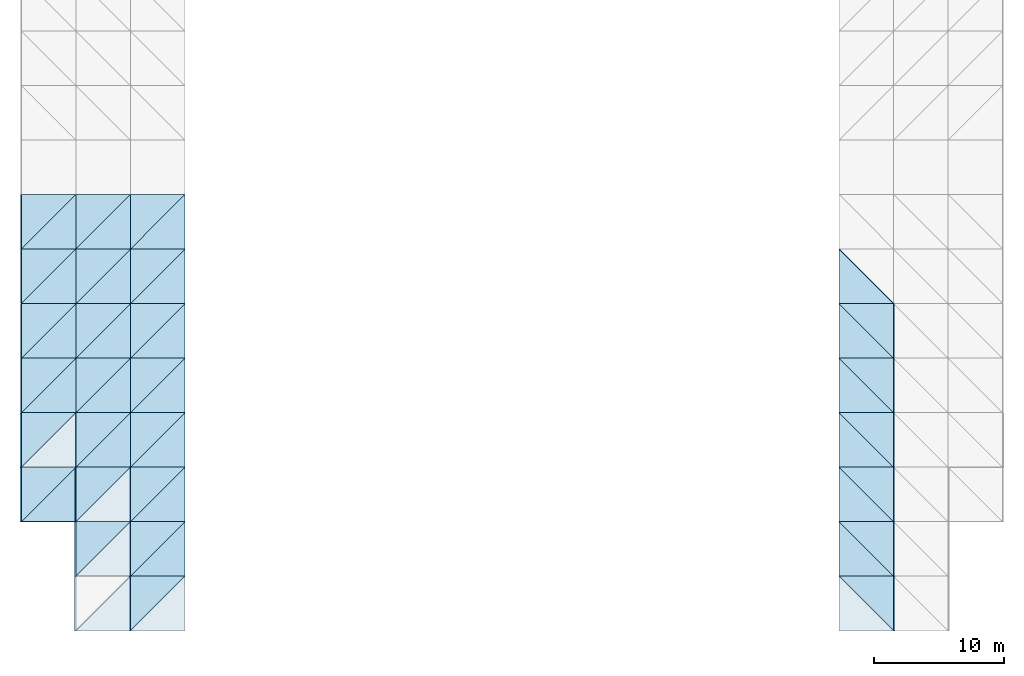
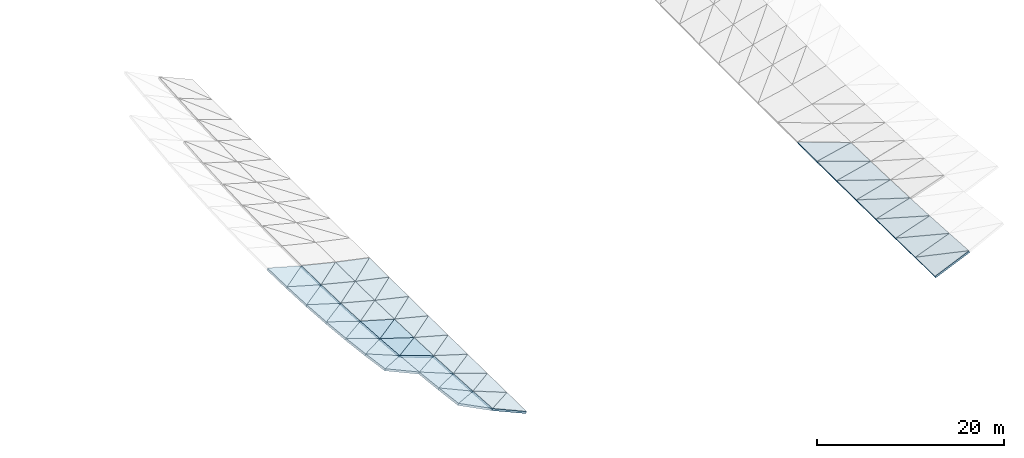
# One storey, part 8 of 24: 57 slabs.
"""IFC4 building model written with IfcOpenShell, lengths in metres."""

from ifc_helpers import new_model, si_unit, direction, frame, origin, place, context, subcontext, project, spatial, polyline, outline, extrude, material, layer, layer_set, type_object, element, save


model = new_model("IFC4")

# Units and contexts
model_context = context("Model", 3, precision=1e-05, world=origin(), true_north=direction((0.0, 1.0)))
body_context = subcontext(model_context, "Body", "Model", "MODEL_VIEW")
ifc_project = project(units=[si_unit("LENGTHUNIT", "METRE"), si_unit("AREAUNIT", "SQUARE_METRE"), si_unit("VOLUMEUNIT", "CUBIC_METRE"), si_unit("PLANEANGLEUNIT", "RADIAN"), si_unit("MASSUNIT", "GRAM", prefix="KILO")], contexts=[model_context])

# Site, building, storey
site_placement = place(None, origin())
site = spatial("IfcSite", under=ifc_project, at=site_placement, CompositionType="ELEMENT")
building_placement = place(site_placement, origin())
building = spatial("IfcBuilding", under=site, at=building_placement, Name="Cumbredor Promenade Congress Hotel", CompositionType="ELEMENT")
storey_placement = place(building_placement, frame((0.0, 0.0, 35.280029296875)))
storey = spatial("IfcBuildingStorey", under=building, at=storey_placement, Name="L10", CompositionType="ELEMENT", Elevation=35.280029296875)

# Slabs
ifc_material = material(Name="Concrete C40/50", Category="concrete")
ifc_layer = layer(ifc_material, 0.25, Name="Concrete C40/50", Category="concrete")
ifc_layer_set = layer_set([ifc_layer], Name="Concrete C40/50")
slab_type = type_object("IfcSlabType", Name="Catenary Space Frame Roof Deck 250mm", PredefinedType="ROOF", material=ifc_layer_set)
slab_1_placement = place(storey_placement, frame((-4.199951171875, 8.39990234375, 5.3837890625), z_axis=(0.411167219071, 0.086817434765, 0.90741625012), x_axis=(0.910855423121, 0.0, -0.412725572471)))
element("IfcSlab", 1, at=slab_1_placement, inside=storey, type_object=slab_type, Name="Plenary Congress Hall Sweeping Roof Deck Facet 1.3.1", PredefinedType="ROOF", context=body_context, shape_type="SweptSolid", body=[
    extrude(outline(polyline([(0.0, 0.0), (4.6109965042377326, 0.0), (4.776852532628327, 4.216114355512402), (0.0, 0.0)])), origin(), (0.0, 0.0, -1.0), 0.25),
])
slab_2_placement = place(storey_placement, frame((-4.199951171875, 8.39990234375, 5.3837890625), z_axis=(0.369938567617, 0.134544441509, 0.91926233984), x_axis=(0.659194593281, 0.659232911865, -0.361765747554)))
element("IfcSlab", 2, at=slab_2_placement, inside=storey, type_object=slab_type, Name="Plenary Congress Hall Sweeping Roof Deck Facet 1.3.2", PredefinedType="ROOF", context=body_context, shape_type="SweptSolid", body=[
    extrude(outline(polyline([(0.0, 0.0), (6.371337408836187, -6.661338147750939e-16), (2.9913010664213573, 3.0119215383130933), (0.0, 0.0)])), origin(), (0.0, 0.0, -1.0), 0.25),
])
slab_3_placement = place(storey_placement, frame((-4.199951171875, 12.60009765625, 4.76904296875), z_axis=(0.372315421461, 0.073785462696, 0.925168596763), x_axis=(0.927697372163, 0.0, -0.373333076061)))
element("IfcSlab", 3, at=slab_3_placement, inside=storey, type_object=slab_type, Name="Plenary Congress Hall Sweeping Roof Deck Facet 1.4.1", PredefinedType="ROOF", context=body_context, shape_type="SweptSolid", body=[
    extrude(outline(polyline([(0.0, 0.0), (4.527285834691613, -1.3877787807814457e-17), (4.652337831848926, 4.211430953226234), (0.0, 0.0)])), origin(), (0.0, 0.0, -1.0), 0.25),
])
slab_4_placement = place(storey_placement, frame((-4.199951171875, 12.60009765625, 4.76904296875), z_axis=(0.336750452483, 0.113934446411, 0.934675384651), x_axis=(0.66927436547, 0.66927436547, -0.322712948996)))
element("IfcSlab", 4, at=slab_4_placement, inside=storey, type_object=slab_type, Name="Plenary Congress Hall Sweeping Roof Deck Facet 1.4.2", PredefinedType="ROOF", context=body_context, shape_type="SweptSolid", body=[
    extrude(outline(polyline([(0.0, 0.0), (6.275380305244042, 5.551115123125783e-17), (2.9761367097714997, 3.007375289560944), (0.0, 0.0)])), origin(), (0.0, 0.0, -1.0), 0.25),
])
slab_5_placement = place(storey_placement, frame((-4.199951171875, 16.800048828125, 4.257080078125), z_axis=(0.338348207156, 0.059939711432, 0.939110069006), x_axis=(0.940801631192, 0.0, -0.338957653324)))
element("IfcSlab", 5, at=slab_5_placement, inside=storey, type_object=slab_type, Name="Plenary Congress Hall Sweeping Roof Deck Facet 1.5.1", PredefinedType="ROOF", context=body_context, shape_type="SweptSolid", body=[
    extrude(outline(polyline([(0.0, 0.0), (4.464226073411645, 0.0), (4.555089233409057, 4.207516289980262), (0.0, 0.0)])), origin(), (0.0, 0.0, -1.0), 0.25),
])
slab_6_placement = place(storey_placement, frame((-4.199951171875, 16.800048828125, 4.257080078125), z_axis=(0.309059167756, 0.092382115482, 0.946545284477), x_axis=(0.677305493416, 0.677305493416, -0.287253437189)))
element("IfcSlab", 6, at=slab_6_placement, inside=storey, type_object=slab_type, Name="Plenary Congress Hall Sweeping Roof Deck Facet 1.5.2", PredefinedType="ROOF", context=body_context, shape_type="SweptSolid", body=[
    extrude(outline(polyline([(0.0, 0.0), (6.200970186573096, 1.6653345369377348e-16), (2.962398663153429, 3.005297313760026), (0.0, 0.0)])), origin(), (0.0, 0.0, -1.0), 0.25),
])
slab_7_placement = place(storey_placement, frame((-4.199951171875, 21.0, 3.84716796875), z_axis=(0.310066019111, 0.045430716348, 0.949628934798), x_axis=(0.950610447719, 0.0, -0.31038649566)))
element("IfcSlab", 7, at=slab_7_placement, inside=storey, type_object=slab_type, Name="Plenary Congress Hall Sweeping Roof Deck Facet 1.6.1", PredefinedType="ROOF", context=body_context, shape_type="SweptSolid", body=[
    extrude(outline(polyline([(0.0, 0.0), (4.418162226129549, 0.0), (4.480527481483075, 4.204292137268764), (0.0, 0.0)])), origin(), (0.0, 0.0, -1.0), 0.25),
])
slab_8_placement = place(storey_placement, frame((-4.199951171875, 21.0, 3.84716796875), z_axis=(0.287720702689, 0.069848059433, 0.955163884283), x_axis=(0.683563503785, 0.683563503785, -0.255894260558)))
element("IfcSlab", 8, at=slab_8_placement, inside=storey, type_object=slab_type, Name="Plenary Congress Hall Sweeping Roof Deck Facet 1.6.2", PredefinedType="ROOF", context=body_context, shape_type="SweptSolid", body=[
    extrude(outline(polyline([(0.0, 0.0), (6.1442004270551775, -1.1102230246251565e-16), (2.949525863133463, 3.0056971227812217), (0.0, 0.0)])), origin(), (0.0, 0.0, -1.0), 0.25),
])
slab_9_placement = place(storey_placement, frame((-4.199951171875, 25.199951171875, 3.5400390625), z_axis=(0.28829058045, 0.030542556671, 0.957055742084), x_axis=(0.957502448296, 0.0, -0.288425140212)))
element("IfcSlab", 9, at=slab_9_placement, inside=storey, type_object=slab_type, Name="Plenary Congress Hall Sweeping Roof Deck Facet 1.7.1", PredefinedType="ROOF", context=body_context, shape_type="SweptSolid", body=[
    extrude(outline(polyline([(0.0, 0.0), (4.386360765288658, 0.0), (4.425019310693086, 4.201911501036326), (0.0, 0.0)])), origin(), (0.0, 0.0, -1.0), 0.25),
])
slab_10_placement = place(storey_placement, frame((-4.199951171875, 25.199951171875, 3.5400390625), z_axis=(0.273224130767, 0.046859167153, 0.960808405885), x_axis=(0.688268252981, 0.688268252981, -0.229289388934)))
element("IfcSlab", 10, at=slab_10_placement, inside=storey, type_object=slab_type, Name="Plenary Congress Hall Sweeping Roof Deck Facet 1.7.2", PredefinedType="ROOF", context=body_context, shape_type="SweptSolid", body=[
    extrude(outline(polyline([(0.0, 0.0), (6.102200927743044, -1.942890293094024e-16), (2.9376593147809817, 3.008605085013594), (0.0, 0.0)])), origin(), (0.0, 0.0, -1.0), 0.25),
])
slab_11_placement = place(storey_placement, frame((-4.199951171875, 29.39990234375, 3.335205078125), z_axis=(0.27349250661, 0.015317373472, 0.961752165008), x_axis=(0.96186500894, 0.0, -0.273524595927)))
element("IfcSlab", 11, at=slab_11_placement, inside=storey, type_object=slab_type, Name="Plenary Congress Hall Sweeping Roof Deck Facet 1.8.1", PredefinedType="ROOF", context=body_context, shape_type="SweptSolid", body=[
    extrude(outline(polyline([(0.0, 0.0), (4.366466326188511, 0.0), (4.3847636258184, 4.200688128186187), (0.0, 0.0)])), origin(), (0.0, 0.0, -1.0), 0.25),
])
slab_12_placement = place(storey_placement, frame((-4.199951171875, 29.39990234375, 3.335205078125), z_axis=(0.2658733392, 0.023527246464, 0.963720828963), x_axis=(0.691665779918, 0.691705986032, -0.207704785157)))
element("IfcSlab", 12, at=slab_12_placement, inside=storey, type_object=slab_type, Name="Plenary Congress Hall Sweeping Roof Deck Facet 1.8.2", PredefinedType="ROOF", context=body_context, shape_type="SweptSolid", body=[
    extrude(outline(polyline([(0.0, 0.0), (6.072226346619871, -1.1102230246251565e-16), (2.926598094107825, 3.0144947367759327), (0.0, 0.0)])), origin(), (0.0, 0.0, -1.0), 0.25),
])
slab_13_placement = place(storey_placement, frame((0.0, 0.0, 4.4853515625), z_axis=(0.45453933553, 0.060439938921, 0.888673734415), x_axis=(0.890301351474, 0.0, -0.455371830007)))
element("IfcSlab", 13, at=slab_13_placement, inside=storey, type_object=slab_type, Name="Plenary Congress Hall Sweeping Roof Deck Facet 2.1.1", PredefinedType="ROOF", context=body_context, shape_type="SweptSolid", body=[
    extrude(outline(polyline([(0.0, 0.0), (4.717448945711764, 0.0), (4.8475234186386675, 4.207643434971648), (0.0, 0.0)])), origin(), (0.0, 0.0, -1.0), 0.25),
])
slab_14_placement = place(storey_placement, frame((0.0, 0.0, 4.4853515625), z_axis=(0.409046691077, 0.115494917277, 0.905174971263), x_axis=(0.654306384269, 0.654306384269, -0.379165281915)))
element("IfcSlab", 14, at=slab_14_placement, inside=storey, type_object=slab_type, Name="Plenary Congress Hall Sweeping Roof Deck Facet 2.1.2", PredefinedType="ROOF", context=body_context, shape_type="SweptSolid", body=[
    extrude(outline(polyline([(0.0, 0.0), (6.418936560685915, -1.6653345369377348e-16), (2.951245244722588, 3.0359377497373776), (0.0, 0.0)])), origin(), (0.0, 0.0, -1.0), 0.25),
])
slab_15_placement = place(storey_placement, frame((0.0, 4.199951171875, 3.949462890625), z_axis=(0.411197951808, 0.054163455448, 0.909935472725), x_axis=(0.911273146381, 0.0, -0.411802443758)))
element("IfcSlab", 15, at=slab_15_placement, inside=storey, type_object=slab_type, Name="Plenary Congress Hall Sweeping Roof Deck Facet 2.2.1", PredefinedType="ROOF", context=body_context, shape_type="SweptSolid", body=[
    extrude(outline(polyline([(0.0, 0.0), (4.608882845450503, 0.0), (4.711833456389957, 4.2061254163233635), (0.0, 0.0)])), origin(), (0.0, 0.0, -1.0), 0.25),
])
slab_16_placement = place(storey_placement, frame((0.0, 4.199951171875, 3.949462890625), z_axis=(0.369264178227, 0.103080433585, 0.923589947374), x_axis=(0.664961689209, 0.664961689209, -0.340076320506)))
element("IfcSlab", 16, at=slab_16_placement, inside=storey, type_object=slab_type, Name="Plenary Congress Hall Sweeping Roof Deck Facet 2.2.2", PredefinedType="ROOF", context=body_context, shape_type="SweptSolid", body=[
    extrude(outline(polyline([(0.0, 0.0), (6.316079918636014, 5.551115123125783e-17), (2.952217401082226, 3.0238599215872246), (0.0, 0.0)])), origin(), (0.0, 0.0, -1.0), 0.25),
])
slab_17_placement = place(storey_placement, frame((0.0, 8.39990234375, 3.480712890625), z_axis=(0.370825649109, 0.047334398802, 0.927495440772), x_axis=(0.928536237843, 0.0, -0.371241774335)))
element("IfcSlab", 17, at=slab_17_placement, inside=storey, type_object=slab_type, Name="Plenary Congress Hall Sweeping Roof Deck Facet 2.3.1", PredefinedType="ROOF", context=body_context, shape_type="SweptSolid", body=[
    extrude(outline(polyline([(0.0, 0.0), (4.523195757689998, 0.0), (4.602773462247189, 4.204908598182298), (0.0, 0.0)])), origin(), (0.0, 0.0, -1.0), 0.25),
])
slab_18_placement = place(storey_placement, frame((0.0, 8.39990234375, 3.480712890625), z_axis=(0.333335610195, 0.089793538847, 0.938522504449), x_axis=(0.673682027033, 0.673721187763, -0.30373061685)))
element("IfcSlab", 18, at=slab_18_placement, inside=storey, type_object=slab_type, Name="Plenary Congress Hall Sweeping Roof Deck Facet 2.3.2", PredefinedType="ROOF", context=body_context, shape_type="SweptSolid", body=[
    extrude(outline(polyline([(0.0, 0.0), (6.234322726955541, 0.0), (2.9518163841804714, 3.0149475144677034), (0.0, 0.0)])), origin(), (0.0, 0.0, -1.0), 0.25),
])
slab_19_placement = place(storey_placement, frame((0.0, 12.60009765625, 3.078857421875), z_axis=(0.334419623445, 0.040009941856, 0.941574596093), x_axis=(0.942329136276, 0.0, -0.334687613942)))
element("IfcSlab", 19, at=slab_19_placement, inside=storey, type_object=slab_type, Name="Plenary Congress Hall Sweeping Roof Deck Facet 2.4.1", PredefinedType="ROOF", context=body_context, shape_type="SweptSolid", body=[
    extrude(outline(polyline([(0.0, 0.0), (4.456989612435006, 6.938893903907228e-18), (4.516720238848965, 4.203316844587047), (0.0, 0.0)])), origin(), (0.0, 0.0, -1.0), 0.25),
])
slab_20_placement = place(storey_placement, frame((0.0, 12.60009765625, 3.078857421875), z_axis=(0.302096813544, 0.075786584052, 0.950259916509), x_axis=(0.680707590515, 0.680707590515, -0.270692357537)))
element("IfcSlab", 20, at=slab_20_placement, inside=storey, type_object=slab_type, Name="Plenary Congress Hall Sweeping Roof Deck Facet 2.4.2", PredefinedType="ROOF", context=body_context, shape_type="SweptSolid", body=[
    extrude(outline(polyline([(0.0, 0.0), (6.169978461227969, 0.0), (2.9496100083445906, 3.008585959293583), (0.0, 0.0)])), origin(), (0.0, 0.0, -1.0), 0.25),
])
slab_21_placement = place(storey_placement, frame((0.0, 16.800048828125, 2.743896484375), z_axis=(0.302809161441, 0.032390447878, 0.952500640752), x_axis=(0.953000688043, 0.0, -0.302968131309)))
element("IfcSlab", 21, at=slab_21_placement, inside=storey, type_object=slab_type, Name="Plenary Congress Hall Sweeping Roof Deck Facet 2.5.1", PredefinedType="ROOF", context=body_context, shape_type="SweptSolid", body=[
    extrude(outline(polyline([(0.0, 0.0), (4.407080943979243, 6.938893903907228e-18), (4.45035153890497, 4.202156077694785), (0.0, 0.0)])), origin(), (0.0, 0.0, -1.0), 0.25),
])
slab_22_placement = place(storey_placement, frame((0.0, 16.800048828125, 2.743896484375), z_axis=(0.276311214531, 0.061216649224, 0.959116590714), x_axis=(0.68618093884, 0.68618093884, -0.241477614587)))
element("IfcSlab", 22, at=slab_22_placement, inside=storey, type_object=slab_type, Name="Plenary Congress Hall Sweeping Roof Deck Facet 2.5.2", PredefinedType="ROOF", context=body_context, shape_type="SweptSolid", body=[
    extrude(outline(polyline([(0.0, 0.0), (6.120763393657777, 2.220446049250313e-16), (2.94665847452964, 3.004771751527333), (0.0, 0.0)])), origin(), (0.0, 0.0, -1.0), 0.25),
])
slab_23_placement = place(storey_placement, frame((0.0, 21.0, 2.475830078125), z_axis=(0.27674721727, 0.024514130021, 0.960630019915), x_axis=(0.96091879181, 0.0, -0.276830409359)))
element("IfcSlab", 23, at=slab_23_placement, inside=storey, type_object=slab_type, Name="Plenary Congress Hall Sweeping Roof Deck Facet 2.6.1", PredefinedType="ROOF", context=body_context, shape_type="SweptSolid", body=[
    extrude(outline(polyline([(0.0, 0.0), (4.37076598737682, -3.469446951953614e-18), (4.400436043458072, 4.201213705663172), (0.0, 0.0)])), origin(), (0.0, 0.0, -1.0), 0.25),
])
slab_24_placement = place(storey_placement, frame((0.0, 21.0, 2.475830078125), z_axis=(0.256577242509, 0.046186148422, 0.965419576309), x_axis=(0.690336810607, 0.690336810607, -0.216495209744)))
element("IfcSlab", 24, at=slab_24_placement, inside=storey, type_object=slab_type, Name="Plenary Congress Hall Sweeping Roof Deck Facet 2.6.2", PredefinedType="ROOF", context=body_context, shape_type="SweptSolid", body=[
    extrude(outline(polyline([(0.0, 0.0), (6.0839160064235775, 0.0), (2.9428807886939765, 3.0032340008915677), (0.0, 0.0)])), origin(), (0.0, 0.0, -1.0), 0.25),
])
slab_25_placement = place(storey_placement, frame((0.0, 25.199951171875, 2.27490234375), z_axis=(0.256816551653, 0.016458278573, 0.966320021454), x_axis=(0.966450923984, 0.0, -0.256851341304)))
element("IfcSlab", 25, at=slab_25_placement, inside=storey, type_object=slab_type, Name="Plenary Congress Hall Sweeping Roof Deck Facet 2.7.1", PredefinedType="ROOF", context=body_context, shape_type="SweptSolid", body=[
    extrude(outline(polyline([(0.0, 0.0), (4.345746967223105, -6.938893903907228e-18), (4.364120366393548, 4.200520118209939), (0.0, 0.0)])), origin(), (0.0, 0.0, -1.0), 0.25),
])
slab_26_placement = place(storey_placement, frame((0.0, 25.199951171875, 2.27490234375), z_axis=(0.243228293779, 0.030938909473, 0.969475518508), x_axis=(0.693379318259, 0.693379318259, -0.196087332636)))
element("IfcSlab", 26, at=slab_26_placement, inside=storey, type_object=slab_type, Name="Plenary Congress Hall Sweeping Roof Deck Facet 2.7.2", PredefinedType="ROOF", context=body_context, shape_type="SweptSolid", body=[
    extrude(outline(polyline([(0.0, 0.0), (6.057220140943978, 1.6653345369377348e-16), (2.938441493562966, 3.003850251690583), (0.0, 0.0)])), origin(), (0.0, 0.0, -1.0), 0.25),
])
slab_27_placement = place(storey_placement, frame((0.0, 29.39990234375, 2.140869140625), z_axis=(0.243336545039, 0.008231017267, 0.969906993584), x_axis=(0.969939850681, 0.0, -0.24334478844)))
element("IfcSlab", 27, at=slab_27_placement, inside=storey, type_object=slab_type, Name="Plenary Congress Hall Sweeping Roof Deck Facet 2.8.1", PredefinedType="ROOF", context=body_context, shape_type="SweptSolid", body=[
    extrude(outline(polyline([(0.0, 0.0), (4.330115077678804, -1.734723475976807e-18), (4.33878898859489, 4.2003376006012205), (0.0, 0.0)])), origin(), (0.0, 0.0, -1.0), 0.25),
])
slab_28_placement = place(storey_placement, frame((0.0, 29.39990234375, 2.140869140625), z_axis=(0.236509174984, 0.015472719001, 0.971506049963), x_axis=(0.695486508772, 0.695526936982, -0.180390676169)))
element("IfcSlab", 28, at=slab_28_placement, inside=storey, type_object=slab_type, Name="Plenary Congress Hall Sweeping Roof Deck Facet 2.8.2", PredefinedType="ROOF", context=body_context, shape_type="SweptSolid", body=[
    extrude(outline(polyline([(0.0, 0.0), (6.038867927565289, 3.608224830031759e-16), (2.933416130154654, 3.0068563897876177), (0.0, 0.0)])), origin(), (0.0, 0.0, -1.0), 0.25),
])
slab_29_placement = place(storey_placement, frame((4.199951171875, 0.0, 2.337158203125), z_axis=(0.405170702715, 0.014984673858, 0.914118242467), x_axis=(0.914220888014, 0.0, -0.405216198983)))
element("IfcSlab", 29, at=slab_29_placement, inside=storey, type_object=slab_type, Name="Plenary Congress Hall Sweeping Roof Deck Facet 3.1.1", PredefinedType="ROOF", context=body_context, shape_type="SweptSolid", body=[
    extrude(outline(polyline([(0.0, 0.0), (4.59402232757726, 0.0), (4.62192051315179, 4.200422780762307), (0.0, 0.0)])), origin(), (0.0, 0.0, -1.0), 0.25),
])
slab_30_placement = place(storey_placement, frame((4.199951171875, 0.0, 2.337158203125), z_axis=(0.363923375977, 0.063201773771, 0.929282148871), x_axis=(0.672481279544, 0.672481279544, -0.309091988453)))
element("IfcSlab", 30, at=slab_30_placement, inside=storey, type_object=slab_type, Name="Plenary Congress Hall Sweeping Roof Deck Facet 3.1.2", PredefinedType="ROOF", context=body_context, shape_type="SweptSolid", body=[
    extrude(outline(polyline([(0.0, 0.0), (6.24545440837096, 2.7755575615628914e-16), (2.912678974239555, 3.0393229241707824), (0.0, 0.0)])), origin(), (0.0, 0.0, -1.0), 0.25),
])
slab_31_placement = place(storey_placement, frame((4.199951171875, 4.199951171875, 2.051513671875), z_axis=(0.364619815794, 0.013368130399, 0.93106051523), x_axis=(0.931143719856, 0.0, -0.364652400202)))
element("IfcSlab", 31, at=slab_31_placement, inside=storey, type_object=slab_type, Name="Plenary Congress Hall Sweeping Roof Deck Facet 3.2.1", PredefinedType="ROOF", context=body_context, shape_type="SweptSolid", body=[
    extrude(outline(polyline([(0.0, 0.0), (4.510529451377057, 0.0), (4.5325189882056245, 4.2003265023301894), (0.0, 0.0)])), origin(), (0.0, 0.0, -1.0), 0.25),
])
slab_32_placement = place(storey_placement, frame((4.199951171875, 4.199951171875, 2.051513671875), z_axis=(0.326844885667, 0.056155899819, 0.943408149015), x_axis=(0.679656505654, 0.679656505654, -0.275924026942)))
element("IfcSlab", 32, at=slab_32_placement, inside=storey, type_object=slab_type, Name="Plenary Congress Hall Sweeping Roof Deck Facet 3.2.2", PredefinedType="ROOF", context=body_context, shape_type="SweptSolid", body=[
    extrude(outline(polyline([(0.0, 0.0), (6.179520297290226, 0.0), (2.923505144130075, 3.025757346248898), (0.0, 0.0)])), origin(), (0.0, 0.0, -1.0), 0.25),
])
slab_33_placement = place(storey_placement, frame((4.199951171875, 8.39990234375, 1.801513671875), z_axis=(0.327339269004, 0.011642934785, 0.944835141724), x_axis=(0.944899188184, 0.0, -0.327361457977)))
element("IfcSlab", 33, at=slab_33_placement, inside=storey, type_object=slab_type, Name="Plenary Congress Hall Sweeping Roof Deck Facet 3.3.1", PredefinedType="ROOF", context=body_context, shape_type="SweptSolid", body=[
    extrude(outline(polyline([(0.0, 0.0), (4.444866949188435, 0.0), (4.461810462150134, 4.200480026338688), (0.0, 0.0)])), origin(), (0.0, 0.0, -1.0), 0.25),
])
slab_34_placement = place(storey_placement, frame((4.199951171875, 8.39990234375, 1.801513671875), z_axis=(0.293775618975, 0.048719305011, 0.954632031211), x_axis=(0.685376087826, 0.685415928324, -0.245895553919)))
element("IfcSlab", 34, at=slab_34_placement, inside=storey, type_object=slab_type, Name="Plenary Congress Hall Sweeping Roof Deck Facet 3.3.2", PredefinedType="ROOF", context=body_context, shape_type="SweptSolid", body=[
    extrude(outline(polyline([(0.0, 0.0), (6.1279511300125975, 7.771561172376096e-16), (2.931589825981886, 3.0155215174708183), (0.0, 0.0)])), origin(), (0.0, 0.0, -1.0), 0.25),
])
slab_35_placement = place(storey_placement, frame((4.199951171875, 12.60009765625, 1.587158203125), z_axis=(0.294110669038, 0.009833318553, 0.955720785692), x_axis=(0.95576699535, 0.0, -0.29412488946)))
element("IfcSlab", 35, at=slab_35_placement, inside=storey, type_object=slab_type, Name="Plenary Congress Hall Sweeping Roof Deck Facet 3.4.1", PredefinedType="ROOF", context=body_context, shape_type="SweptSolid", body=[
    extrude(outline(polyline([(0.0, 0.0), (4.3943253871594905, 0.0), (4.40703537383782, 4.200154241964095), (0.0, 0.0)])), origin(), (0.0, 0.0, -1.0), 0.25),
])
slab_36_placement = place(storey_placement, frame((4.199951171875, 12.60009765625, 1.587158203125), z_axis=(0.265411860785, 0.040931660387, 0.963265873647), x_axis=(0.689878251711, 0.689878251711, -0.219399169628)))
element("IfcSlab", 36, at=slab_36_placement, inside=storey, type_object=slab_type, Name="Plenary Congress Hall Sweeping Roof Deck Facet 3.4.2", PredefinedType="ROOF", context=body_context, shape_type="SweptSolid", body=[
    extrude(outline(polyline([(0.0, 0.0), (6.0879599573705185, 1.3877787807814457e-16), (2.936610438763598, 3.0079493637137045), (0.0, 0.0)])), origin(), (0.0, 0.0, -1.0), 0.25),
])
slab_37_placement = place(storey_placement, frame((4.199951171875, 16.800048828125, 1.40869140625), z_axis=(0.265626300896, 0.007845502558, 0.96404414648), x_axis=(0.964073817229, 0.0, -0.265634476177)))
element("IfcSlab", 37, at=slab_37_placement, inside=storey, type_object=slab_type, Name="Plenary Congress Hall Sweeping Roof Deck Facet 3.5.1", PredefinedType="ROOF", context=body_context, shape_type="SweptSolid", body=[
    extrude(outline(polyline([(0.0, 0.0), (4.356462230192035, -1.734723475976807e-18), (4.365541533576976, 4.200080435351427), (0.0, 0.0)])), origin(), (0.0, 0.0, -1.0), 0.25),
])
slab_38_placement = place(storey_placement, frame((4.199951171875, 16.800048828125, 1.40869140625), z_axis=(0.242098668396, 0.032975022354, 0.969691127453), x_axis=(0.693297004955, 0.693297004955, -0.196668568516)))
element("IfcSlab", 38, at=slab_38_placement, inside=storey, type_object=slab_type, Name="Plenary Congress Hall Sweeping Roof Deck Facet 3.5.2", PredefinedType="ROOF", context=body_context, shape_type="SweptSolid", body=[
    extrude(outline(polyline([(0.0, 0.0), (6.057939298541001, 1.6653345369377348e-16), (2.939902218948989, 3.0028258338956753), (0.0, 0.0)])), origin(), (0.0, 0.0, -1.0), 0.25),
])
slab_39_placement = place(storey_placement, frame((4.199951171875, 21.0, 1.265869140625), z_axis=(0.242226070658, 0.005978105586, 0.970201418751), x_axis=(0.970218755622, 0.0, -0.242230399081)))
element("IfcSlab", 39, at=slab_39_placement, inside=storey, type_object=slab_type, Name="Plenary Congress Hall Sweeping Roof Deck Facet 3.6.1", PredefinedType="ROOF", context=body_context, shape_type="SweptSolid", body=[
    extrude(outline(polyline([(0.0, 0.0), (4.328870316655599, 8.673617379884035e-19), (4.335138974444326, 4.200026222281524), (0.0, 0.0)])), origin(), (0.0, 0.0, -1.0), 0.25),
])
slab_40_placement = place(storey_placement, frame((4.199951171875, 21.0, 1.265869140625), z_axis=(0.224364000125, 0.024860120155, 0.974188262028), x_axis=(0.695813577961, 0.695813577961, -0.1780082286)))
element("IfcSlab", 40, at=slab_40_placement, inside=storey, type_object=slab_type, Name="Plenary Congress Hall Sweeping Roof Deck Facet 3.6.2", PredefinedType="ROOF", context=body_context, shape_type="SweptSolid", body=[
    extrude(outline(polyline([(0.0, 0.0), (6.036029340187024, 1.3877787807814457e-16), (2.9414615708066227, 2.9998134509245373), (0.0, 0.0)])), origin(), (0.0, 0.0, -1.0), 0.25),
])
slab_41_placement = place(storey_placement, frame((4.199951171875, 25.199951171875, 1.15869140625), z_axis=(0.224431548464, 0.004021867729, 0.974481556847), x_axis=(0.974489438266, 0.0, -0.224433363623)))
element("IfcSlab", 41, at=slab_41_placement, inside=storey, type_object=slab_type, Name="Plenary Congress Hall Sweeping Roof Deck Facet 3.7.1", PredefinedType="ROOF", context=body_context, shape_type="SweptSolid", body=[
    extrude(outline(polyline([(0.0, 0.0), (4.3098991194267855, 4.336808689942018e-19), (4.31378944384506, 4.199985140274239), (0.0, 0.0)])), origin(), (0.0, 0.0, -1.0), 0.25),
])
slab_42_placement = place(storey_placement, frame((4.199951171875, 25.199951171875, 1.15869140625), z_axis=(0.212412019054, 0.016640834648, 0.97703849299), x_axis=(0.697586866805, 0.697586866805, -0.163539373006)))
element("IfcSlab", 42, at=slab_42_placement, inside=storey, type_object=slab_type, Name="Plenary Congress Hall Sweeping Roof Deck Facet 3.7.2", PredefinedType="ROOF", context=body_context, shape_type="SweptSolid", body=[
    extrude(outline(polyline([(0.0, 0.0), (6.020685554349562, 2.7755575615628914e-17), (2.9415292739091674, 2.998685107846257), (0.0, 0.0)])), origin(), (0.0, 0.0, -1.0), 0.25),
])
slab_43_placement = place(storey_placement, frame((4.199951171875, 29.39990234375, 1.087158203125), z_axis=(0.212441015666, 0.001987968812, 0.977171869654), x_axis=(0.977173800561, 0.0, -0.212441435453)))
element("IfcSlab", 43, at=slab_43_placement, inside=storey, type_object=slab_type, Name="Plenary Congress Hall Sweeping Roof Deck Facet 3.8.1", PredefinedType="ROOF", context=body_context, shape_type="SweptSolid", body=[
    extrude(outline(polyline([(0.0, 0.0), (4.298059536045824, 2.168404344971009e-19), (4.299874831514783, 4.200203612152533), (0.0, 0.0)])), origin(), (0.0, 0.0, -1.0), 0.25),
])
slab_44_placement = place(storey_placement, frame((4.199951171875, 29.39990234375, 1.087158203125), z_axis=(0.206401793458, 0.008303364629, 0.978432089515), x_axis=(0.69872527049, 0.698765886968, -0.153327204331)))
element("IfcSlab", 44, at=slab_44_placement, inside=storey, type_object=slab_type, Name="Plenary Congress Hall Sweeping Roof Deck Facet 3.8.2", PredefinedType="ROOF", context=body_context, shape_type="SweptSolid", body=[
    extrude(outline(polyline([(0.0, 0.0), (6.01087630468582, 2.7755575615628914e-16), (2.9404184793050323, 2.9994750144511104), (0.0, 0.0)])), origin(), (0.0, 0.0, -1.0), 0.25),
])
slab_45_placement = place(storey_placement, frame((58.800048828125, 0.0, 0.4755859375), z_axis=(-0.405170702715, 0.014984673858, 0.914118242467), x_axis=(0.914220888014, 0.0, 0.405216198983)))
element("IfcSlab", 45, at=slab_45_placement, inside=storey, type_object=slab_type, Name="Plenary Congress Hall Sweeping Roof Deck Facet 16.1.1", PredefinedType="ROOF", context=body_context, shape_type="SweptSolid", body=[
    extrude(outline(polyline([(0.0, 0.0), (4.59402232757726, 0.0), (-0.027898185574529798, 4.200422780762307), (0.0, 0.0)])), origin(), (0.0, 0.0, -1.0), 0.25),
])
slab_46_placement = place(storey_placement, frame((63.0, 0.0, 2.337158203125), z_axis=(-0.363923375977, 0.063201773771, 0.929282148871), x_axis=(0.0, 0.997695217775, -0.067854641911)))
element("IfcSlab", 46, at=slab_46_placement, inside=storey, type_object=slab_type, Name="Plenary Congress Hall Sweeping Roof Deck Facet 16.1.2", PredefinedType="ROOF", context=body_context, shape_type="SweptSolid", body=[
    extrude(outline(polyline([(0.0, 0.0), (4.209653506450053, 0.0), (4.321259151605111, 4.509148490758464), (0.0, 0.0)])), origin(), (0.0, 0.0, -1.0), 0.25),
])
slab_47_placement = place(storey_placement, frame((58.800048828125, 4.199951171875, 0.40673828125), z_axis=(-0.364619815794, 0.013368130399, 0.93106051523), x_axis=(0.931143719856, 0.0, 0.364652400202)))
element("IfcSlab", 47, at=slab_47_placement, inside=storey, type_object=slab_type, Name="Plenary Congress Hall Sweeping Roof Deck Facet 16.2.1", PredefinedType="ROOF", context=body_context, shape_type="SweptSolid", body=[
    extrude(outline(polyline([(0.0, 0.0), (4.510529451377057, 0.0), (-0.021989536828567968, 4.2003265023301894), (0.0, 0.0)])), origin(), (0.0, 0.0, -1.0), 0.25),
])
slab_48_placement = place(storey_placement, frame((63.0, 4.199951171875, 2.051513671875), z_axis=(-0.326844885667, 0.056155899819, 0.943408149015), x_axis=(0.0, 0.998233110761, -0.059419328339)))
element("IfcSlab", 48, at=slab_48_placement, inside=storey, type_object=slab_type, Name="Plenary Congress Hall Sweeping Roof Deck Facet 16.2.2", PredefinedType="ROOF", context=body_context, shape_type="SweptSolid", body=[
    extrude(outline(polyline([(0.0, 0.0), (4.207385155430173, 1.3877787807814457e-17), (4.293844920298742, 4.444025979339743), (0.0, 0.0)])), origin(), (0.0, 0.0, -1.0), 0.25),
])
slab_49_placement = place(storey_placement, frame((58.800048828125, 8.39990234375, 0.346435546875), z_axis=(-0.327339269004, 0.011642934785, 0.944835141724), x_axis=(0.944899188184, 0.0, 0.327361457977)))
element("IfcSlab", 49, at=slab_49_placement, inside=storey, type_object=slab_type, Name="Plenary Congress Hall Sweeping Roof Deck Facet 16.3.1", PredefinedType="ROOF", context=body_context, shape_type="SweptSolid", body=[
    extrude(outline(polyline([(0.0, 0.0), (4.444866949188435, 0.0), (-0.016943512961698964, 4.200480026338689), (0.0, 0.0)])), origin(), (0.0, 0.0, -1.0), 0.25),
])
slab_50_placement = place(storey_placement, frame((63.0, 8.39990234375, 1.801513671875), z_axis=(-0.293775618975, 0.048719305011, 0.954632031211), x_axis=(0.0, 0.998700270943, -0.050968311898)))
element("IfcSlab", 50, at=slab_50_placement, inside=storey, type_object=slab_type, Name="Plenary Congress Hall Sweeping Roof Deck Facet 16.3.2", PredefinedType="ROOF", context=body_context, shape_type="SweptSolid", body=[
    extrude(outline(polyline([(0.0, 0.0), (4.2056615329969205, 0.0), (4.271537080649873, 4.393831587630076), (0.0, 0.0)])), origin(), (0.0, 0.0, -1.0), 0.25),
])
slab_51_placement = place(storey_placement, frame((58.800048828125, 12.60009765625, 0.294677734375), z_axis=(-0.294110669038, 0.009833318553, 0.955720785692), x_axis=(0.95576699535, 0.0, 0.29412488946)))
element("IfcSlab", 51, at=slab_51_placement, inside=storey, type_object=slab_type, Name="Plenary Congress Hall Sweeping Roof Deck Facet 16.4.1", PredefinedType="ROOF", context=body_context, shape_type="SweptSolid", body=[
    extrude(outline(polyline([(0.0, 0.0), (4.3943253871594905, 0.0), (-0.012709986678329555, 4.200154241964095), (0.0, 0.0)])), origin(), (0.0, 0.0, -1.0), 0.25),
])
slab_52_placement = place(storey_placement, frame((63.0, 12.60009765625, 1.587158203125), z_axis=(-0.265411860785, 0.040931660387, 0.963265873647), x_axis=(0.0, 0.999098410723, -0.04245427764)))
element("IfcSlab", 52, at=slab_52_placement, inside=storey, type_object=slab_type, Name="Plenary Congress Hall Sweeping Roof Deck Facet 16.4.2", PredefinedType="ROOF", context=body_context, shape_type="SweptSolid", body=[
    extrude(outline(polyline([(0.0, 0.0), (4.203741219880335, -1.3877787807814457e-17), (4.252870437656952, 4.356185198433419), (0.0, 0.0)])), origin(), (0.0, 0.0, -1.0), 0.25),
])
slab_53_placement = place(storey_placement, frame((58.800048828125, 16.800048828125, 0.25146484375), z_axis=(-0.265626300896, 0.007845502558, 0.96404414648), x_axis=(0.964073817229, 0.0, 0.265634476177)))
element("IfcSlab", 53, at=slab_53_placement, inside=storey, type_object=slab_type, Name="Plenary Congress Hall Sweeping Roof Deck Facet 16.5.1", PredefinedType="ROOF", context=body_context, shape_type="SweptSolid", body=[
    extrude(outline(polyline([(0.0, 0.0), (4.356462230192035, 1.734723475976807e-18), (-0.009079303384940786, 4.200080435351428), (0.0, 0.0)])), origin(), (0.0, 0.0, -1.0), 0.25),
])
slab_54_placement = place(storey_placement, frame((63.0, 16.800048828125, 1.40869140625), z_axis=(-0.242098668396, 0.032975022354, 0.969691127453), x_axis=(0.0, 0.999422307276, -0.033986051837)))
element("IfcSlab", 54, at=slab_54_placement, inside=storey, type_object=slab_type, Name="Plenary Congress Hall Sweeping Roof Deck Facet 16.5.2", PredefinedType="ROOF", context=body_context, shape_type="SweptSolid", body=[
    extrude(outline(polyline([(0.0, 0.0), (4.202378855564125, -6.938893903907228e-18), (4.238016085212812, 4.328723623227163), (0.0, 0.0)])), origin(), (0.0, 0.0, -1.0), 0.25),
])
slab_55_placement = place(storey_placement, frame((58.800048828125, 21.0, 0.21728515625), z_axis=(-0.242226070658, 0.005978105586, 0.970201418751), x_axis=(0.970218755622, 0.0, 0.242230399081)))
element("IfcSlab", 55, at=slab_55_placement, inside=storey, type_object=slab_type, Name="Plenary Congress Hall Sweeping Roof Deck Facet 16.6.1", PredefinedType="ROOF", context=body_context, shape_type="SweptSolid", body=[
    extrude(outline(polyline([(0.0, 0.0), (4.328870316655599, -8.673617379884035e-19), (-0.006268657788726969, 4.200026222281524), (0.0, 0.0)])), origin(), (0.0, 0.0, -1.0), 0.25),
])
slab_56_placement = place(storey_placement, frame((63.0, 21.0, 1.265869140625), z_axis=(-0.224364000125, 0.024860120155, 0.974188262028), x_axis=(0.0, 0.999674554241, -0.025510499873)))
element("IfcSlab", 56, at=slab_56_placement, inside=storey, type_object=slab_type, Name="Plenary Congress Hall Sweeping Roof Deck Facet 16.6.2", PredefinedType="ROOF", context=body_context, shape_type="SweptSolid", body=[
    extrude(outline(polyline([(0.0, 0.0), (4.201318473155771, 0.0), (4.225994401011241, 4.30982847897921), (0.0, 0.0)])), origin(), (0.0, 0.0, -1.0), 0.25),
])
slab_57_placement = place(storey_placement, frame((58.800048828125, 25.199951171875, 0.19140625), z_axis=(-0.224431548464, 0.004021867729, 0.974481556847), x_axis=(0.974489438266, 0.0, 0.224433363623)))
element("IfcSlab", 57, at=slab_57_placement, inside=storey, type_object=slab_type, Name="Plenary Congress Hall Sweeping Roof Deck Facet 16.7.1", PredefinedType="ROOF", context=body_context, shape_type="SweptSolid", body=[
    extrude(outline(polyline([(0.0, 0.0), (4.3098991194267855, -4.336808689942018e-19), (-0.0038903244182747665, 4.199985140274239), (0.0, 0.0)])), origin(), (0.0, 0.0, -1.0), 0.25),
])

save(model, "model.ifc")
